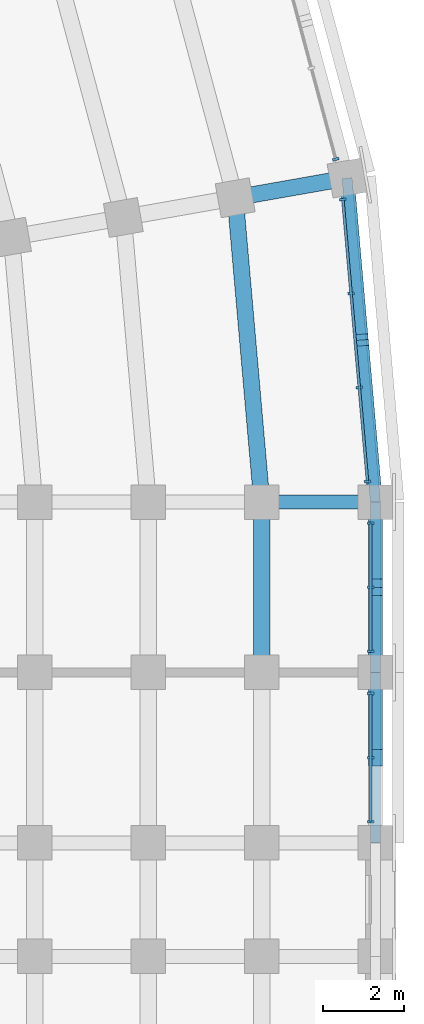
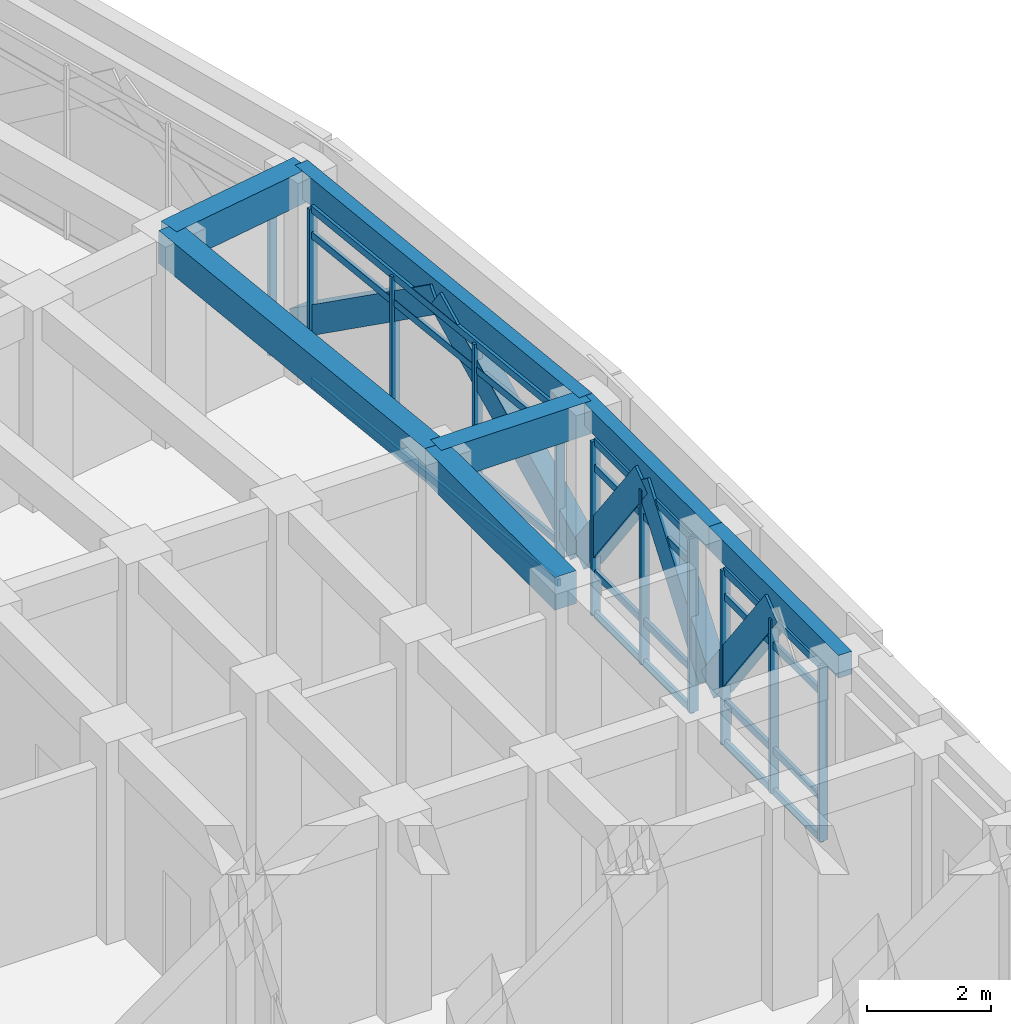
# One storey, part 32 of 97: 23 members, 12 beams, 4 elements without a shape of their own.
"""IFC4 building model written with IfcOpenShell, lengths in metres."""

from ifc_helpers import new_model, si_unit, direction, frame, origin, origin_2d, place, context, subcontext, project, spatial, rectangle, extrude, material, material_profile, profile_set, type_object, element, aggregate, save


model = new_model("IFC4")

# Units and contexts
model_context = context("Model", 3, precision=1e-05, world=origin(), true_north=direction((0.0, 1.0)))
body_context = subcontext(model_context, "Body", "Model", "MODEL_VIEW")
ifc_project = project(units=[si_unit("LENGTHUNIT", "METRE"), si_unit("AREAUNIT", "SQUARE_METRE"), si_unit("VOLUMEUNIT", "CUBIC_METRE"), si_unit("PLANEANGLEUNIT", "RADIAN"), si_unit("MASSUNIT", "GRAM", prefix="KILO")], contexts=[model_context])

# Site, building, storey
site_placement = place(None, origin())
site = spatial("IfcSite", under=ifc_project, at=site_placement, CompositionType="ELEMENT")
building_placement = place(site_placement, origin())
building = spatial("IfcBuilding", under=site, at=building_placement, Name="Kiranvali Square Residences", CompositionType="ELEMENT")
storey_placement = place(building_placement, frame((0.0, 0.0, 4.5)))
storey = spatial("IfcBuildingStorey", under=building, at=storey_placement, Name="L01", CompositionType="ELEMENT", Elevation=4.5)

# Beams
ifc_material_1 = material(Name="Concrete M40 (40 MPa)", Category="concrete")
ifc_material_profile_1 = material_profile(ifc_material_1, rectangle(XDim=0.35009765625, YDim=0.5, at=origin_2d()), Name="RC 350x500")
ifc_profile_set_1 = profile_set([ifc_material_profile_1], Name="Concrete M40 (40 MPa)")
beam_type_1 = type_object("IfcBeamType", Name="AR-M40-350x500", PredefinedType="USERDEFINED", material=ifc_profile_set_1)
for number, where, z_axis, x_axis, name in (
    (1, (165.104736328125, 95.748046875, 0.89990234375), (0.07164281584, -0.818861711603, 0.569502242498), (0.996194518621, 0.087157794078, 0.0), "Classical pointed Ottoman arch rib ARCH-B-CRV-7-08.1"),
    (2, (165.45068359375, 91.7939453125, 3.64990234375), (0.07164281584, -0.818861711603, -0.569502242498), (0.996194518621, 0.087157794078, 0.0), "Classical pointed Ottoman arch rib ARCH-B-CRV-7-08.2"),
):
    element("IfcBeam", number, at=place(storey_placement, frame(where, z_axis=z_axis, x_axis=x_axis)), inside=storey, type_object=beam_type_1, Name=name, ObjectType="ARCH RIB", PredefinedType="USERDEFINED", context=body_context, shape_type="SweptSolid", body=[
        extrude(rectangle(XDim=0.35009765625, YDim=0.5, at=origin_2d()), origin(), (0.0, 0.0, 1.0), 4.828857421875),
    ])
for number, where, z_axis, x_axis, name in (
    (3, (165.800048828125, 87.760009765625, 0.89990234375), (0.0, -0.599545163906, 0.800340925129), (1.0, 0.0, 0.0), "Classical pointed Ottoman arch rib ARCH-B-A2-0.1"),
    (4, (165.800048828125, 85.699951171875, 3.64990234375), (0.0, -0.599545163906, -0.800340925129), (1.0, 0.0, 0.0), "Classical pointed Ottoman arch rib ARCH-B-A2-0.2"),
    (5, (165.800048828125, 83.56005859375, 0.89990234375), (0.0, -0.599545163906, 0.800340925129), (1.0, 0.0, 0.0), "Classical pointed Ottoman arch rib ARCH-B-A2-1.1"),
):
    element("IfcBeam", number, at=place(storey_placement, frame(where, z_axis=z_axis, x_axis=x_axis)), inside=storey, type_object=beam_type_1, Name=name, ObjectType="ARCH RIB", PredefinedType="USERDEFINED", context=body_context, shape_type="SweptSolid", body=[
        extrude(rectangle(XDim=0.35009765625, YDim=0.5, at=origin_2d()), origin(), (0.0, 0.0, 1.0), 3.43603515625),
    ])
ifc_material_profile_2 = material_profile(ifc_material_1, rectangle(XDim=0.35009765625, YDim=0.64990234375, at=origin_2d()), Name="RC 350x650")
ifc_profile_set_2 = profile_set([ifc_material_profile_2], Name="Concrete M40 (40 MPa)")
beam_type_2 = type_object("IfcBeamType", Name="BM-M40-350x650", PredefinedType="BEAM", material=ifc_profile_set_2)
beam_1_placement = place(storey_placement, frame((163.0, 87.800048828125, 3.655029296875), z_axis=(1.0, 0.0, 0.0), x_axis=(0.0, 1.0, 0.0)))
element("IfcBeam", 6, at=beam_1_placement, inside=storey, type_object=beam_type_2, Name="L01 beam BM-B-L01-A2T0-67", PredefinedType="BEAM", context=body_context, shape_type="SweptSolid", body=[
    extrude(rectangle(XDim=0.35009765625, YDim=0.64990234375, at=origin_2d()), origin(), (0.0, 0.0, 1.0), 2.800048828125),
])
ifc_material_2 = material(Name="Concrete M45 (45 MPa)", Category="concrete")
ifc_material_profile_3 = material_profile(ifc_material_2, rectangle(XDim=0.39990234375, YDim=0.64990234375, at=origin_2d()), Name="RC 400x650")
ifc_profile_set_3 = profile_set([ifc_material_profile_3], Name="Concrete M45 (45 MPa)")
beam_type_3 = type_object("IfcBeamType", Name="BM-M45-400x650", PredefinedType="BEAM", material=ifc_profile_set_3)
beam_2_placement = place(storey_placement, frame((162.34375, 95.301513671875, 3.655029296875), z_axis=(0.087150058103, -0.996195195417, 0.0), x_axis=(0.996195195417, 0.087150058103, 0.0)))
element("IfcBeam", 7, at=beam_2_placement, inside=storey, type_object=beam_type_3, Name="L01 beam BM-B-L01-C08-R6", PredefinedType="BEAM", context=body_context, shape_type="SweptSolid", body=[
    extrude(rectangle(XDim=0.39990234375, YDim=0.64990234375, at=origin_2d()), origin(), (0.0, 0.0, 1.0), 7.530029296875),
])
beam_3_placement = place(storey_placement, frame((162.34375, 95.301513671875, 3.655029296875), z_axis=(0.984799355489, 0.173695795656, 0.0), x_axis=(-0.173695795656, 0.984799355489, 0.0)))
element("IfcBeam", 8, at=beam_3_placement, inside=storey, type_object=beam_type_3, Name="L01 beam BM-B-L01-RAD08-67", PredefinedType="BEAM", context=body_context, shape_type="SweptSolid", body=[
    extrude(rectangle(XDim=0.39990234375, YDim=0.64990234375, at=origin_2d()), origin(), (0.0, 0.0, 1.0), 2.7998046875),
])
beam_4_placement = place(storey_placement, frame((163.0, 87.800048828125, 3.655029296875), z_axis=(0.0, -1.0, 0.0), x_axis=(1.0, 0.0, 0.0)))
element("IfcBeam", 9, at=beam_4_placement, inside=storey, type_object=beam_type_3, Name="L01 beam BM-B-L01-A2V0-R6", PredefinedType="BEAM", context=body_context, shape_type="SweptSolid", body=[
    extrude(rectangle(XDim=0.39990234375, YDim=0.64990234375, at=origin_2d()), origin(), (0.0, 0.0, 1.0), 4.199951171875),
])

# Curtain wall, member
ifc_material_3 = material(Name="Anodised bronze aluminium framing", Category="aluminium")
curtain_wall_type = type_object("IfcCurtainWallType", Name="CW-RET-SHOP", PredefinedType="USERDEFINED", material=ifc_material_3)
curtain_wall_1_placement = place(storey_placement, origin())
curtain_wall_1 = element("IfcCurtainWall", 10, at=curtain_wall_1_placement, inside=storey, type_object=curtain_wall_type, Name="Block B L01 rounded-corner arcade curtain wall 8", ObjectType="CURTAIN WALL", PredefinedType="USERDEFINED")
ifc_material_profile_4 = material_profile(ifc_material_3, rectangle(XDim=0.06494140625, YDim=0.159912109375, at=origin_2d()), Name="ALU 65x160")
ifc_profile_set_4 = profile_set([ifc_material_profile_4], Name="Anodised bronze aluminium framing")
member_type_1 = type_object("IfcMemberType", Name="CW-MUL-160", PredefinedType="MULLION", material=ifc_profile_set_4)
member_1_placement = place(storey_placement, frame((164.82177734375, 96.251220703125, 0.02001953125), z_axis=(0.0, 0.0, 1.0), x_axis=(0.258819045103, -0.965925826289, 0.0)))
member_1 = element("IfcMember", 11, at=member_1_placement, type_object=member_type_1, Name="CW-B-L01-CRV-07 vertical mullion 4", PredefinedType="MULLION", context=body_context, shape_type="SweptSolid", body=[
    extrude(rectangle(XDim=0.06494140625, YDim=0.159912109375, at=origin_2d()), origin(), (0.0, 0.0, 1.0), 3.43994140625),
])
aggregate(curtain_wall_1, [member_1])

# Curtain wall, members
curtain_wall_2_placement = place(storey_placement, origin())
curtain_wall_2 = element("IfcCurtainWall", 12, at=curtain_wall_2_placement, inside=storey, type_object=curtain_wall_type, Name="Block B L01 rounded-corner arcade curtain wall 9", ObjectType="CURTAIN WALL", PredefinedType="USERDEFINED")
member_2_placement = place(storey_placement, frame((164.9970703125, 95.2568359375, 0.02001953125), z_axis=(0.0, 0.0, 1.0), x_axis=(0.087155742748, -0.996194698092, 0.0)))
member_2 = element("IfcMember", 13, at=member_2_placement, type_object=member_type_1, Name="CW-B-L01-CRV-08 vertical mullion 1", PredefinedType="MULLION", context=body_context, shape_type="SweptSolid", body=[
    extrude(rectangle(XDim=0.06494140625, YDim=0.159912109375, at=origin_2d()), origin(), (0.0, 0.0, 1.0), 3.43994140625),
])
member_3_placement = place(storey_placement, frame((165.19970703125, 92.939453125, 0.02001953125), z_axis=(0.0, 0.0, 1.0), x_axis=(0.087155742748, -0.996194698092, 0.0)))
member_3 = element("IfcMember", 14, at=member_3_placement, type_object=member_type_1, Name="CW-B-L01-CRV-08 vertical mullion 2", PredefinedType="MULLION", context=body_context, shape_type="SweptSolid", body=[
    extrude(rectangle(XDim=0.06494140625, YDim=0.159912109375, at=origin_2d()), origin(), (0.0, 0.0, 1.0), 3.43994140625),
])
member_4_placement = place(storey_placement, frame((165.402587890625, 90.622314453125, 0.02001953125), z_axis=(0.0, 0.0, 1.0), x_axis=(0.087155742748, -0.996194698092, 0.0)))
member_4 = element("IfcMember", 15, at=member_4_placement, type_object=member_type_1, Name="CW-B-L01-CRV-08 vertical mullion 3", PredefinedType="MULLION", context=body_context, shape_type="SweptSolid", body=[
    extrude(rectangle(XDim=0.06494140625, YDim=0.159912109375, at=origin_2d()), origin(), (0.0, 0.0, 1.0), 3.43994140625),
])
member_5_placement = place(storey_placement, frame((165.605224609375, 88.304931640625, 0.02001953125), z_axis=(0.0, 0.0, 1.0), x_axis=(0.087155742748, -0.996194698092, 0.0)))
member_5 = element("IfcMember", 16, at=member_5_placement, type_object=member_type_1, Name="CW-B-L01-CRV-08 vertical mullion 4", PredefinedType="MULLION", context=body_context, shape_type="SweptSolid", body=[
    extrude(rectangle(XDim=0.06494140625, YDim=0.159912109375, at=origin_2d()), origin(), (0.0, 0.0, 1.0), 3.43994140625),
])

curtain_wall_3_placement = place(storey_placement, origin())
curtain_wall_3 = element("IfcCurtainWall", 17, at=curtain_wall_3_placement, inside=storey, type_object=curtain_wall_type, Name="L01 curtain wall CW-B-L01-A2-0", ObjectType="CURTAIN WALL", PredefinedType="USERDEFINED")
member_6_placement = place(storey_placement, frame((165.679931640625, 87.280029296875, 0.02001953125), z_axis=(0.0, 0.0, 1.0), x_axis=(0.0, -1.0, 0.0)))
member_6 = element("IfcMember", 18, at=member_6_placement, type_object=member_type_1, Name="CW-B-L01-A2-0 vertical mullion 1", PredefinedType="MULLION", context=body_context, shape_type="SweptSolid", body=[
    extrude(rectangle(XDim=0.06494140625, YDim=0.159912109375, at=origin_2d()), origin(), (0.0, 0.0, 1.0), 3.43994140625),
])
member_7_placement = place(storey_placement, frame((165.679931640625, 85.699951171875, 0.02001953125), z_axis=(0.0, 0.0, 1.0), x_axis=(0.0, -1.0, 0.0)))
member_7 = element("IfcMember", 19, at=member_7_placement, type_object=member_type_1, Name="CW-B-L01-A2-0 vertical mullion 2", PredefinedType="MULLION", context=body_context, shape_type="SweptSolid", body=[
    extrude(rectangle(XDim=0.06494140625, YDim=0.159912109375, at=origin_2d()), origin(), (0.0, 0.0, 1.0), 3.43994140625),
])
member_8_placement = place(storey_placement, frame((165.679931640625, 84.1201171875, 0.02001953125), z_axis=(0.0, 0.0, 1.0), x_axis=(0.0, -1.0, 0.0)))
member_8 = element("IfcMember", 20, at=member_8_placement, type_object=member_type_1, Name="CW-B-L01-A2-0 vertical mullion 3", PredefinedType="MULLION", context=body_context, shape_type="SweptSolid", body=[
    extrude(rectangle(XDim=0.06494140625, YDim=0.159912109375, at=origin_2d()), origin(), (0.0, 0.0, 1.0), 3.43994140625),
])

curtain_wall_4_placement = place(storey_placement, origin())
curtain_wall_4 = element("IfcCurtainWall", 21, at=curtain_wall_4_placement, inside=storey, type_object=curtain_wall_type, Name="L01 curtain wall CW-B-L01-A2-1", ObjectType="CURTAIN WALL", PredefinedType="USERDEFINED")
member_9_placement = place(storey_placement, frame((165.679931640625, 83.080078125, 0.02001953125), z_axis=(0.0, 0.0, 1.0), x_axis=(0.0, -1.0, 0.0)))
member_9 = element("IfcMember", 22, at=member_9_placement, type_object=member_type_1, Name="CW-B-L01-A2-1 vertical mullion 1", PredefinedType="MULLION", context=body_context, shape_type="SweptSolid", body=[
    extrude(rectangle(XDim=0.06494140625, YDim=0.159912109375, at=origin_2d()), origin(), (0.0, 0.0, 1.0), 3.43994140625),
])
member_10_placement = place(storey_placement, frame((165.679931640625, 81.5, 0.02001953125), z_axis=(0.0, 0.0, 1.0), x_axis=(0.0, -1.0, 0.0)))
member_10 = element("IfcMember", 23, at=member_10_placement, type_object=member_type_1, Name="CW-B-L01-A2-1 vertical mullion 2", PredefinedType="MULLION", context=body_context, shape_type="SweptSolid", body=[
    extrude(rectangle(XDim=0.06494140625, YDim=0.159912109375, at=origin_2d()), origin(), (0.0, 0.0, 1.0), 3.43994140625),
])
member_11_placement = place(storey_placement, frame((165.679931640625, 79.919921875, 0.02001953125), z_axis=(0.0, 0.0, 1.0), x_axis=(0.0, -1.0, 0.0)))
member_11 = element("IfcMember", 24, at=member_11_placement, type_object=member_type_1, Name="CW-B-L01-A2-1 vertical mullion 3", PredefinedType="MULLION", context=body_context, shape_type="SweptSolid", body=[
    extrude(rectangle(XDim=0.06494140625, YDim=0.159912109375, at=origin_2d()), origin(), (0.0, 0.0, 1.0), 3.43994140625),
])

# Member
ifc_material_profile_5 = material_profile(ifc_material_3, rectangle(XDim=0.06494140625, YDim=0.139892578125, at=origin_2d()), Name="ALU 65x140")
ifc_profile_set_5 = profile_set([ifc_material_profile_5], Name="Anodised bronze aluminium framing")
member_type_2 = type_object("IfcMemberType", Name="CW-TRN-140", PredefinedType="MULLION", material=ifc_profile_set_5)
member_12_placement = place(storey_placement, frame((164.997802734375, 95.246826171875, 0.0400390625), z_axis=(0.087188277046, -0.996191851174, 0.0), x_axis=(0.996191851174, 0.087188277046, 0.0)))
member_12 = element("IfcMember", 25, at=member_12_placement, type_object=member_type_2, Name="CW-B-L01-CRV-08 horizontal transom 1", PredefinedType="MULLION", context=body_context, shape_type="SweptSolid", body=[
    extrude(rectangle(XDim=0.06494140625, YDim=0.139892578125, at=origin_2d()), origin(), (0.0, 0.0, 1.0), 6.95849609375),
])

member_13_placement = place(storey_placement, frame((164.997802734375, 95.246826171875, 0.85009765625), z_axis=(0.087188277046, -0.996191851174, 0.0), x_axis=(0.996191851174, 0.087188277046, 0.0)))
member_13 = element("IfcMember", 26, at=member_13_placement, type_object=member_type_2, Name="CW-B-L01-CRV-08 horizontal transom 2", PredefinedType="MULLION", context=body_context, shape_type="SweptSolid", body=[
    extrude(rectangle(XDim=0.06494140625, YDim=0.139892578125, at=origin_2d()), origin(), (0.0, 0.0, 1.0), 6.95849609375),
])

member_14_placement = place(storey_placement, frame((164.997802734375, 95.246826171875, 2.929931640625), z_axis=(0.087188277046, -0.996191851174, 0.0), x_axis=(0.996191851174, 0.087188277046, 0.0)))
member_14 = element("IfcMember", 27, at=member_14_placement, type_object=member_type_2, Name="CW-B-L01-CRV-08 horizontal transom 3", PredefinedType="MULLION", context=body_context, shape_type="SweptSolid", body=[
    extrude(rectangle(XDim=0.06494140625, YDim=0.139892578125, at=origin_2d()), origin(), (0.0, 0.0, 1.0), 6.95849609375),
])

member_15_placement = place(storey_placement, frame((164.997802734375, 95.246826171875, 3.43994140625), z_axis=(0.087188277046, -0.996191851174, 0.0), x_axis=(0.996191851174, 0.087188277046, 0.0)))
member_15 = element("IfcMember", 28, at=member_15_placement, type_object=member_type_2, Name="CW-B-L01-CRV-08 horizontal transom 4", PredefinedType="MULLION", context=body_context, shape_type="SweptSolid", body=[
    extrude(rectangle(XDim=0.06494140625, YDim=0.139892578125, at=origin_2d()), origin(), (0.0, 0.0, 1.0), 6.95849609375),
])

aggregate(curtain_wall_2, [member_2, member_3, member_4, member_5, member_12, member_13, member_14, member_15])

member_16_placement = place(storey_placement, frame((165.679931640625, 87.27001953125, 0.0400390625), z_axis=(0.0, -1.0, 0.0), x_axis=(1.0, 0.0, 0.0)))
member_16 = element("IfcMember", 29, at=member_16_placement, type_object=member_type_2, Name="CW-B-L01-A2-0 horizontal transom 1", PredefinedType="MULLION", context=body_context, shape_type="SweptSolid", body=[
    extrude(rectangle(XDim=0.06494140625, YDim=0.139892578125, at=origin_2d()), origin(), (0.0, 0.0, 1.0), 3.14013671875),
])

member_17_placement = place(storey_placement, frame((165.679931640625, 87.27001953125, 0.85009765625), z_axis=(0.0, -1.0, 0.0), x_axis=(1.0, 0.0, 0.0)))
member_17 = element("IfcMember", 30, at=member_17_placement, type_object=member_type_2, Name="CW-B-L01-A2-0 horizontal transom 2", PredefinedType="MULLION", context=body_context, shape_type="SweptSolid", body=[
    extrude(rectangle(XDim=0.06494140625, YDim=0.139892578125, at=origin_2d()), origin(), (0.0, 0.0, 1.0), 3.14013671875),
])

member_18_placement = place(storey_placement, frame((165.679931640625, 87.27001953125, 2.929931640625), z_axis=(0.0, -1.0, 0.0), x_axis=(1.0, 0.0, 0.0)))
member_18 = element("IfcMember", 31, at=member_18_placement, type_object=member_type_2, Name="CW-B-L01-A2-0 horizontal transom 3", PredefinedType="MULLION", context=body_context, shape_type="SweptSolid", body=[
    extrude(rectangle(XDim=0.06494140625, YDim=0.139892578125, at=origin_2d()), origin(), (0.0, 0.0, 1.0), 3.14013671875),
])

member_19_placement = place(storey_placement, frame((165.679931640625, 87.27001953125, 3.43994140625), z_axis=(0.0, -1.0, 0.0), x_axis=(1.0, 0.0, 0.0)))
member_19 = element("IfcMember", 32, at=member_19_placement, type_object=member_type_2, Name="CW-B-L01-A2-0 horizontal transom 4", PredefinedType="MULLION", context=body_context, shape_type="SweptSolid", body=[
    extrude(rectangle(XDim=0.06494140625, YDim=0.139892578125, at=origin_2d()), origin(), (0.0, 0.0, 1.0), 3.14013671875),
])

aggregate(curtain_wall_3, [member_6, member_7, member_8, member_16, member_17, member_18, member_19])

member_20_placement = place(storey_placement, frame((165.679931640625, 83.070068359375, 0.0400390625), z_axis=(0.0, -1.0, 0.0), x_axis=(1.0, 0.0, 0.0)))
member_20 = element("IfcMember", 33, at=member_20_placement, type_object=member_type_2, Name="CW-B-L01-A2-1 horizontal transom 1", PredefinedType="MULLION", context=body_context, shape_type="SweptSolid", body=[
    extrude(rectangle(XDim=0.06494140625, YDim=0.139892578125, at=origin_2d()), origin(), (0.0, 0.0, 1.0), 3.14013671875),
])

member_21_placement = place(storey_placement, frame((165.679931640625, 83.070068359375, 0.85009765625), z_axis=(0.0, -1.0, 0.0), x_axis=(1.0, 0.0, 0.0)))
member_21 = element("IfcMember", 34, at=member_21_placement, type_object=member_type_2, Name="CW-B-L01-A2-1 horizontal transom 2", PredefinedType="MULLION", context=body_context, shape_type="SweptSolid", body=[
    extrude(rectangle(XDim=0.06494140625, YDim=0.139892578125, at=origin_2d()), origin(), (0.0, 0.0, 1.0), 3.14013671875),
])

member_22_placement = place(storey_placement, frame((165.679931640625, 83.070068359375, 2.929931640625), z_axis=(0.0, -1.0, 0.0), x_axis=(1.0, 0.0, 0.0)))
member_22 = element("IfcMember", 35, at=member_22_placement, type_object=member_type_2, Name="CW-B-L01-A2-1 horizontal transom 3", PredefinedType="MULLION", context=body_context, shape_type="SweptSolid", body=[
    extrude(rectangle(XDim=0.06494140625, YDim=0.139892578125, at=origin_2d()), origin(), (0.0, 0.0, 1.0), 3.14013671875),
])

member_23_placement = place(storey_placement, frame((165.679931640625, 83.070068359375, 3.43994140625), z_axis=(0.0, -1.0, 0.0), x_axis=(1.0, 0.0, 0.0)))
member_23 = element("IfcMember", 36, at=member_23_placement, type_object=member_type_2, Name="CW-B-L01-A2-1 horizontal transom 4", PredefinedType="MULLION", context=body_context, shape_type="SweptSolid", body=[
    extrude(rectangle(XDim=0.06494140625, YDim=0.139892578125, at=origin_2d()), origin(), (0.0, 0.0, 1.0), 3.14013671875),
])

aggregate(curtain_wall_4, [member_9, member_10, member_11, member_20, member_21, member_22, member_23])

# Beams
ifc_material_profile_6 = material_profile(ifc_material_1, rectangle(XDim=0.25, YDim=0.449951171875, at=origin_2d()), Name="RC 250x450")
ifc_profile_set_6 = profile_set([ifc_material_profile_6], Name="Concrete M40 (40 MPa)")
beam_type_4 = type_object("IfcBeamType", Name="SPN-M40-250x450", PredefinedType="SPANDREL", material=ifc_profile_set_6)
beam_5_placement = place(storey_placement, frame((165.800048828125, 87.800048828125, 3.7548828125), z_axis=(0.0, -1.0, 0.0), x_axis=(1.0, 0.0, 0.0)))
element("IfcBeam", 37, at=beam_5_placement, inside=storey, type_object=beam_type_4, Name="L01 beam BM-B-L01-A2V0-R7", PredefinedType="SPANDREL", context=body_context, shape_type="SweptSolid", body=[
    extrude(rectangle(XDim=0.25, YDim=0.449951171875, at=origin_2d()), origin(), (0.0, 0.0, 1.0), 4.199951171875),
])
beam_6_placement = place(storey_placement, frame((165.800048828125, 83.60009765625, 3.7548828125), z_axis=(0.0, -1.0, 0.0), x_axis=(1.0, 0.0, 0.0)))
element("IfcBeam", 38, at=beam_6_placement, inside=storey, type_object=beam_type_4, Name="L01 beam BM-B-L01-A2V1-R7", PredefinedType="SPANDREL", context=body_context, shape_type="SweptSolid", body=[
    extrude(rectangle(XDim=0.25, YDim=0.449951171875, at=origin_2d()), origin(), (0.0, 0.0, 1.0), 4.2001953125),
])
ifc_material_profile_7 = material_profile(ifc_material_1, rectangle(XDim=0.25, YDim=0.550048828125, at=origin_2d()), Name="RC 250x550")
ifc_profile_set_7 = profile_set([ifc_material_profile_7], Name="Concrete M40 (40 MPa)")
beam_type_5 = type_object("IfcBeamType", Name="SPN-M40-250x550", PredefinedType="SPANDREL", material=ifc_profile_set_7)
beam_7_placement = place(storey_placement, frame((165.10107421875, 95.787841796875, 3.705078125), z_axis=(0.087172238171, -0.996193254792, 0.0), x_axis=(0.996193254792, 0.087172238171, 0.0)))
element("IfcBeam", 39, at=beam_7_placement, inside=storey, type_object=beam_type_5, Name="L01 beam BM-B-L01-C08-R7", PredefinedType="SPANDREL", context=body_context, shape_type="SweptSolid", body=[
    extrude(rectangle(XDim=0.25, YDim=0.550048828125, at=origin_2d()), origin(), (0.0, 0.0, 1.0), 8.018310546875),
])

save(model, "model.ifc")
